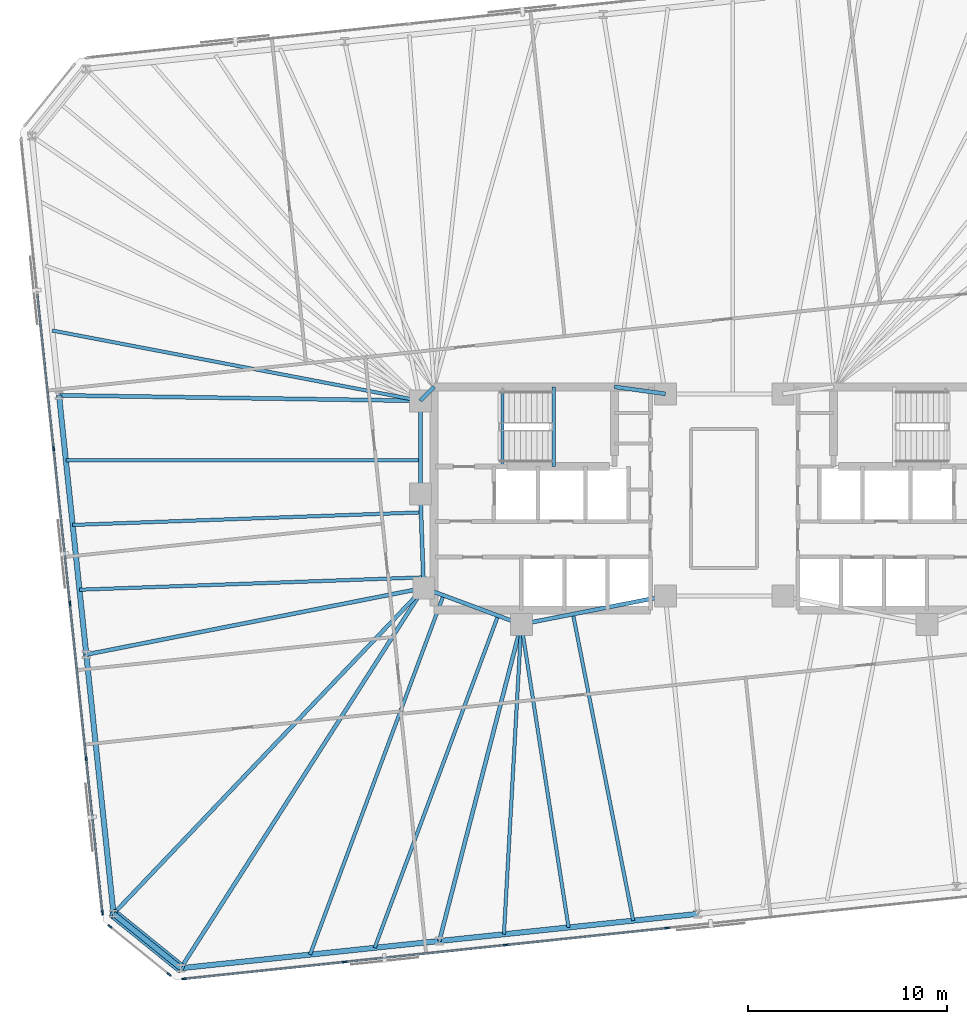
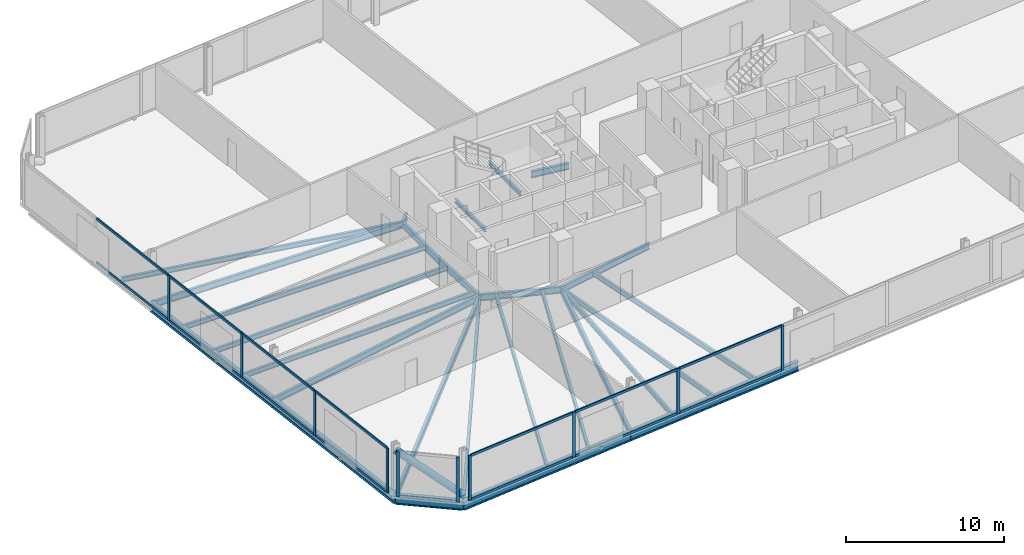
# One storey, part 6 of 18: 27 beams, 25 members, 3 elements without a shape of their own.
"""IFC4 building model written with IfcOpenShell, lengths in metres."""

from ifc_helpers import new_model, si_unit, direction, frame, origin, origin_2d, place, context, subcontext, project, spatial, rectangle, hollow_circle, i_section, extrude, material, material_profile, profile_set, type_object, element, aggregate, save


model = new_model("IFC4")

# Units and contexts
model_context = context("Model", 3, precision=1e-05, world=origin(), true_north=direction((0.0, 1.0)))
body_context = subcontext(model_context, "Body", "Model", "MODEL_VIEW")
ifc_project = project(units=[si_unit("LENGTHUNIT", "METRE"), si_unit("AREAUNIT", "SQUARE_METRE"), si_unit("VOLUMEUNIT", "CUBIC_METRE"), si_unit("PLANEANGLEUNIT", "RADIAN"), si_unit("MASSUNIT", "GRAM", prefix="KILO")], contexts=[model_context])

# Site, building, storey
site_placement = place(None, origin())
site = spatial("IfcSite", under=ifc_project, at=site_placement, CompositionType="ELEMENT")
building_placement = place(site_placement, origin())
building = spatial("IfcBuilding", under=site, at=building_placement, Name="Menara Jurai Vektor", CompositionType="ELEMENT")
storey_placement = place(building_placement, frame((0.0, 0.0, 117.0)))
storey = spatial("IfcBuildingStorey", under=building, at=storey_placement, Name="L29", CompositionType="ELEMENT", Elevation=117.0)

# Curtain wall, members
ifc_material_1 = material(Name="Anodised Pale Aluminium & Low-E Double Glazing", Category="aluminium")
curtain_wall_type = type_object("IfcCurtainWallType", Name="CW-BLK2", PredefinedType="NOTDEFINED", material=ifc_material_1)
curtain_wall_1_placement = place(storey_placement, origin())
curtain_wall_1 = element("IfcCurtainWall", 1, at=curtain_wall_1_placement, inside=storey, type_object=curtain_wall_type, Name="Unitised Curtain Wall L29 F01", PredefinedType="NOTDEFINED")
ifc_material_2 = material(Name="Anodised Pale Aluminium Mullion", Category="aluminium")
ifc_material_profile_1 = material_profile(ifc_material_2, rectangle(XDim=0.090087890625, YDim=0.219970703125, at=origin_2d()), Name="ALU MUL 90x220")
ifc_profile_set_1 = profile_set([ifc_material_profile_1], Name="Anodised Pale Aluminium Mullion")
member_type_1 = type_object("IfcMemberType", Name="CW-BLK2-MUL", PredefinedType="MULLION", material=ifc_profile_set_1)
member_1_placement = place(storey_placement, frame((-27.116455078125, -24.122314453125, 0.0), z_axis=(0.0, 0.0, 1.0), x_axis=(-0.104528634935, 0.994521877325, 0.0)))
member_1 = element("IfcMember", 2, at=member_1_placement, type_object=member_type_1, Name="CW-02 mullion 1", PredefinedType="MULLION", context=body_context, shape_type="SweptSolid", body=[
    extrude(rectangle(XDim=0.090087890625, YDim=0.219970703125, at=origin_2d()), origin(), (0.0, 0.0, 1.0), 3.47509765625),
])
member_2_placement = place(storey_placement, frame((-19.0634765625, -23.27587890625, 0.0), z_axis=(0.0, 0.0, 1.0), x_axis=(-0.104528634935, 0.994521877325, 0.0)))
member_2 = element("IfcMember", 3, at=member_2_placement, type_object=member_type_1, Name="CW-02 mullion 2", PredefinedType="MULLION", context=body_context, shape_type="SweptSolid", body=[
    extrude(rectangle(XDim=0.090087890625, YDim=0.219970703125, at=origin_2d()), origin(), (0.0, 0.0, 1.0), 3.47509765625),
])
member_3_placement = place(storey_placement, frame((-10.965576171875, -22.4248046875, 0.0), z_axis=(0.0, 0.0, 1.0), x_axis=(-0.104528634935, 0.994521877325, 0.0)))
member_3 = element("IfcMember", 4, at=member_3_placement, type_object=member_type_1, Name="CW-02 mullion 3", PredefinedType="MULLION", context=body_context, shape_type="SweptSolid", body=[
    extrude(rectangle(XDim=0.090087890625, YDim=0.219970703125, at=origin_2d()), origin(), (0.0, 0.0, 1.0), 3.47509765625),
])
member_4_placement = place(storey_placement, frame((-2.86767578125, -21.57373046875, 0.0), z_axis=(0.0, 0.0, 1.0), x_axis=(-0.104528634935, 0.994521877325, 0.0)))
member_4 = element("IfcMember", 5, at=member_4_placement, type_object=member_type_1, Name="CW-02 mullion 4", PredefinedType="MULLION", context=body_context, shape_type="SweptSolid", body=[
    extrude(rectangle(XDim=0.090087890625, YDim=0.219970703125, at=origin_2d()), origin(), (0.0, 0.0, 1.0), 3.47509765625),
])

curtain_wall_2_placement = place(storey_placement, origin())
curtain_wall_2 = element("IfcCurtainWall", 6, at=curtain_wall_2_placement, inside=storey, type_object=curtain_wall_type, Name="Unitised Curtain Wall L29 F07", PredefinedType="NOTDEFINED")
member_5_placement = place(storey_placement, frame((-33.66064453125, 2.50341796875, 0.0), z_axis=(0.0, 0.0, 1.0), x_axis=(0.99452177832, 0.104529576902, 0.0)))
member_5 = element("IfcMember", 7, at=member_5_placement, type_object=member_type_1, Name="CW-02 mullion 3", PredefinedType="MULLION", context=body_context, shape_type="SweptSolid", body=[
    extrude(rectangle(XDim=0.090087890625, YDim=0.219970703125, at=origin_2d()), origin(), (0.0, 0.0, 1.0), 3.47509765625),
])
member_6_placement = place(storey_placement, frame((-32.84228515625, -5.28173828125, 0.0), z_axis=(0.0, 0.0, 1.0), x_axis=(0.99452177832, 0.104529576902, 0.0)))
member_6 = element("IfcMember", 8, at=member_6_placement, type_object=member_type_1, Name="CW-02 mullion 4", PredefinedType="MULLION", context=body_context, shape_type="SweptSolid", body=[
    extrude(rectangle(XDim=0.090087890625, YDim=0.219970703125, at=origin_2d()), origin(), (0.0, 0.0, 1.0), 3.47509765625),
])
member_7_placement = place(storey_placement, frame((-32.024169921875, -13.06689453125, 0.0), z_axis=(0.0, 0.0, 1.0), x_axis=(0.99452177832, 0.104529576902, 0.0)))
member_7 = element("IfcMember", 9, at=member_7_placement, type_object=member_type_1, Name="CW-02 mullion 5", PredefinedType="MULLION", context=body_context, shape_type="SweptSolid", body=[
    extrude(rectangle(XDim=0.090087890625, YDim=0.219970703125, at=origin_2d()), origin(), (0.0, 0.0, 1.0), 3.47509765625),
])
member_8_placement = place(storey_placement, frame((-31.21044921875, -20.80712890625, 0.0), z_axis=(0.0, 0.0, 1.0), x_axis=(0.99452177832, 0.104529576902, 0.0)))
member_8 = element("IfcMember", 10, at=member_8_placement, type_object=member_type_1, Name="CW-02 mullion 6", PredefinedType="MULLION", context=body_context, shape_type="SweptSolid", body=[
    extrude(rectangle(XDim=0.090087890625, YDim=0.219970703125, at=origin_2d()), origin(), (0.0, 0.0, 1.0), 3.47509765625),
])

curtain_wall_3_placement = place(storey_placement, origin())
curtain_wall_3 = element("IfcCurtainWall", 11, at=curtain_wall_3_placement, inside=storey, type_object=curtain_wall_type, Name="Unitised Curtain Wall L29 F08", PredefinedType="NOTDEFINED")
member_9_placement = place(storey_placement, frame((-30.8359375, -21.497314453125, 0.0), z_axis=(0.0, 0.0, 1.0), x_axis=(0.629313085353, 0.777151877437, 0.0)))
member_9 = element("IfcMember", 12, at=member_9_placement, type_object=member_type_1, Name="CW-02 mullion 1", PredefinedType="MULLION", context=body_context, shape_type="SweptSolid", body=[
    extrude(rectangle(XDim=0.090087890625, YDim=0.219970703125, at=origin_2d()), origin(), (0.0, 0.0, 1.0), 3.47509765625),
])
member_10_placement = place(storey_placement, frame((-27.869384765625, -23.8994140625, 0.0), z_axis=(0.0, 0.0, 1.0), x_axis=(0.629313085353, 0.777151877437, 0.0)))
member_10 = element("IfcMember", 13, at=member_10_placement, type_object=member_type_1, Name="CW-02 mullion 2", PredefinedType="MULLION", context=body_context, shape_type="SweptSolid", body=[
    extrude(rectangle(XDim=0.090087890625, YDim=0.219970703125, at=origin_2d()), origin(), (0.0, 0.0, 1.0), 3.47509765625),
])
aggregate(curtain_wall_3, [member_9, member_10])

# Member
ifc_material_3 = material(Name="Anodised Pale Aluminium Transom", Category="aluminium")
ifc_material_profile_2 = material_profile(ifc_material_3, rectangle(XDim=0.090087890625, YDim=0.18505859375, at=origin_2d()), Name="ALU TRN 90x185")
ifc_profile_set_2 = profile_set([ifc_material_profile_2], Name="Anodised Pale Aluminium Transom")
member_type_2 = type_object("IfcMemberType", Name="CW-BLK2-TRN", PredefinedType="USERDEFINED", material=ifc_profile_set_2)
member_11_placement = place(storey_placement, frame((-27.07177734375, -24.11767578125, 0.044921875), z_axis=(0.994523147415, 0.10451655015, 0.0), x_axis=(-0.10451655015, 0.994523147415, 0.0)))
member_11 = element("IfcMember", 14, at=member_11_placement, type_object=member_type_2, Name="CW-02 transom 1.1", ObjectType="TRANSOM", PredefinedType="USERDEFINED", context=body_context, shape_type="SweptSolid", body=[
    extrude(rectangle(XDim=0.090087890625, YDim=0.18505859375, at=origin_2d()), origin(), (0.0, 0.0, 1.0), 8.007568359375),
])

member_12_placement = place(storey_placement, frame((-27.07177734375, -24.11767578125, 3.429931640625), z_axis=(0.994523147415, 0.10451655015, 0.0), x_axis=(-0.10451655015, 0.994523147415, 0.0)))
member_12 = element("IfcMember", 15, at=member_12_placement, type_object=member_type_2, Name="CW-02 transom 1.2", ObjectType="TRANSOM", PredefinedType="USERDEFINED", context=body_context, shape_type="SweptSolid", body=[
    extrude(rectangle(XDim=0.090087890625, YDim=0.18505859375, at=origin_2d()), origin(), (0.0, 0.0, 1.0), 8.007568359375),
])

member_13_placement = place(storey_placement, frame((-19.0185546875, -23.271240234375, 0.044921875), z_axis=(0.994520726373, 0.10453958492, 0.0), x_axis=(-0.10453958492, 0.994520726373, 0.0)))
member_13 = element("IfcMember", 16, at=member_13_placement, type_object=member_type_2, Name="CW-02 transom 2.1", ObjectType="TRANSOM", PredefinedType="USERDEFINED", context=body_context, shape_type="SweptSolid", body=[
    extrude(rectangle(XDim=0.090087890625, YDim=0.18505859375, at=origin_2d()), origin(), (0.0, 0.0, 1.0), 8.052490234375),
])

member_14_placement = place(storey_placement, frame((-19.0185546875, -23.271240234375, 3.429931640625), z_axis=(0.994520726373, 0.10453958492, 0.0), x_axis=(-0.10453958492, 0.994520726373, 0.0)))
member_14 = element("IfcMember", 17, at=member_14_placement, type_object=member_type_2, Name="CW-02 transom 2.2", ObjectType="TRANSOM", PredefinedType="USERDEFINED", context=body_context, shape_type="SweptSolid", body=[
    extrude(rectangle(XDim=0.090087890625, YDim=0.18505859375, at=origin_2d()), origin(), (0.0, 0.0, 1.0), 8.052490234375),
])

member_15_placement = place(storey_placement, frame((-10.920654296875, -22.420166015625, 0.044921875), z_axis=(0.994520726373, 0.10453958492, 0.0), x_axis=(-0.10453958492, 0.994520726373, 0.0)))
member_15 = element("IfcMember", 18, at=member_15_placement, type_object=member_type_2, Name="CW-02 transom 3.1", ObjectType="TRANSOM", PredefinedType="USERDEFINED", context=body_context, shape_type="SweptSolid", body=[
    extrude(rectangle(XDim=0.090087890625, YDim=0.18505859375, at=origin_2d()), origin(), (0.0, 0.0, 1.0), 8.052490234375),
])

member_16_placement = place(storey_placement, frame((-10.920654296875, -22.420166015625, 3.429931640625), z_axis=(0.994520726373, 0.10453958492, 0.0), x_axis=(-0.10453958492, 0.994520726373, 0.0)))
member_16 = element("IfcMember", 19, at=member_16_placement, type_object=member_type_2, Name="CW-02 transom 3.2", ObjectType="TRANSOM", PredefinedType="USERDEFINED", context=body_context, shape_type="SweptSolid", body=[
    extrude(rectangle(XDim=0.090087890625, YDim=0.18505859375, at=origin_2d()), origin(), (0.0, 0.0, 1.0), 8.052490234375),
])

aggregate(curtain_wall_1, [member_1, member_2, member_3, member_4, member_11, member_12, member_13, member_14, member_15, member_16])

member_17_placement = place(storey_placement, frame((-34.47412109375, 10.243896484375, 0.044921875), z_axis=(0.104525476786, -0.994522209256, 0.0), x_axis=(0.994522209256, 0.104525476786, 0.0)))
member_17 = element("IfcMember", 20, at=member_17_placement, type_object=member_type_2, Name="CW-02 transom 2.1", ObjectType="TRANSOM", PredefinedType="USERDEFINED", context=body_context, shape_type="SweptSolid", body=[
    extrude(rectangle(XDim=0.090087890625, YDim=0.18505859375, at=origin_2d()), origin(), (0.0, 0.0, 1.0), 7.73828125),
])

member_18_placement = place(storey_placement, frame((-34.47412109375, 10.243896484375, 3.429931640625), z_axis=(0.104525476786, -0.994522209256, 0.0), x_axis=(0.994522209256, 0.104525476786, 0.0)))
member_18 = element("IfcMember", 21, at=member_18_placement, type_object=member_type_2, Name="CW-02 transom 2.2", ObjectType="TRANSOM", PredefinedType="USERDEFINED", context=body_context, shape_type="SweptSolid", body=[
    extrude(rectangle(XDim=0.090087890625, YDim=0.18505859375, at=origin_2d()), origin(), (0.0, 0.0, 1.0), 7.73828125),
])

member_19_placement = place(storey_placement, frame((-33.65576171875, 2.458740234375, 0.044921875), z_axis=(0.104525476786, -0.994522209256, 0.0), x_axis=(0.994522209256, 0.104525476786, 0.0)))
member_19 = element("IfcMember", 22, at=member_19_placement, type_object=member_type_2, Name="CW-02 transom 3.1", ObjectType="TRANSOM", PredefinedType="USERDEFINED", context=body_context, shape_type="SweptSolid", body=[
    extrude(rectangle(XDim=0.090087890625, YDim=0.18505859375, at=origin_2d()), origin(), (0.0, 0.0, 1.0), 7.73828125),
])

member_20_placement = place(storey_placement, frame((-33.65576171875, 2.458740234375, 3.429931640625), z_axis=(0.104525476786, -0.994522209256, 0.0), x_axis=(0.994522209256, 0.104525476786, 0.0)))
member_20 = element("IfcMember", 23, at=member_20_placement, type_object=member_type_2, Name="CW-02 transom 3.2", ObjectType="TRANSOM", PredefinedType="USERDEFINED", context=body_context, shape_type="SweptSolid", body=[
    extrude(rectangle(XDim=0.090087890625, YDim=0.18505859375, at=origin_2d()), origin(), (0.0, 0.0, 1.0), 7.73828125),
])

member_21_placement = place(storey_placement, frame((-32.837646484375, -5.326416015625, 0.044921875), z_axis=(0.104525476786, -0.994522209256, 0.0), x_axis=(0.994522209256, 0.104525476786, 0.0)))
member_21 = element("IfcMember", 24, at=member_21_placement, type_object=member_type_2, Name="CW-02 transom 4.1", ObjectType="TRANSOM", PredefinedType="USERDEFINED", context=body_context, shape_type="SweptSolid", body=[
    extrude(rectangle(XDim=0.090087890625, YDim=0.18505859375, at=origin_2d()), origin(), (0.0, 0.0, 1.0), 7.73828125),
])

member_22_placement = place(storey_placement, frame((-32.837646484375, -5.326416015625, 3.429931640625), z_axis=(0.104525476786, -0.994522209256, 0.0), x_axis=(0.994522209256, 0.104525476786, 0.0)))
member_22 = element("IfcMember", 25, at=member_22_placement, type_object=member_type_2, Name="CW-02 transom 4.2", ObjectType="TRANSOM", PredefinedType="USERDEFINED", context=body_context, shape_type="SweptSolid", body=[
    extrude(rectangle(XDim=0.090087890625, YDim=0.18505859375, at=origin_2d()), origin(), (0.0, 0.0, 1.0), 7.73828125),
])

member_23_placement = place(storey_placement, frame((-32.019287109375, -13.111572265625, 0.044921875), z_axis=(0.104536105602, -0.994521092097, 0.0), x_axis=(0.994521092097, 0.104536105602, 0.0)))
member_23 = element("IfcMember", 26, at=member_23_placement, type_object=member_type_2, Name="CW-02 transom 5.1", ObjectType="TRANSOM", PredefinedType="USERDEFINED", context=body_context, shape_type="SweptSolid", body=[
    extrude(rectangle(XDim=0.090087890625, YDim=0.18505859375, at=origin_2d()), origin(), (0.0, 0.0, 1.0), 7.693115234375),
])

member_24_placement = place(storey_placement, frame((-32.019287109375, -13.111572265625, 3.429931640625), z_axis=(0.104536105602, -0.994521092097, 0.0), x_axis=(0.994521092097, 0.104536105602, 0.0)))
member_24 = element("IfcMember", 27, at=member_24_placement, type_object=member_type_2, Name="CW-02 transom 5.2", ObjectType="TRANSOM", PredefinedType="USERDEFINED", context=body_context, shape_type="SweptSolid", body=[
    extrude(rectangle(XDim=0.090087890625, YDim=0.18505859375, at=origin_2d()), origin(), (0.0, 0.0, 1.0), 7.693115234375),
])

aggregate(curtain_wall_2, [member_5, member_6, member_7, member_8, member_17, member_18, member_19, member_20, member_21, member_22, member_23, member_24])

# Beams
ifc_material_4 = material(Name="Steel S355", Category="steel")
ifc_material_profile_3 = material_profile(ifc_material_4, i_section(OverallWidth=0.199951171875, OverallDepth=0.5, WebThickness=0.011962890625, FlangeThickness=0.02001953125, at=origin_2d()), Name="PG 500x200x96")
ifc_profile_set_3 = profile_set([ifc_material_profile_3], Name="Steel S355")
beam_type_1 = type_object("IfcBeamType", Name="STR-BM-500", PredefinedType="BEAM", material=ifc_profile_set_3)
beam_1_placement = place(storey_placement, frame((-15.25, 4.89990234375, -0.47509765625), z_axis=(0.701871936926, 0.712303154672, 0.0), x_axis=(-0.712303154672, 0.701871936926, 0.0)))
element("IfcBeam", 28, at=beam_1_placement, inside=storey, type_object=beam_type_1, Name="Core Ring Header Girder L29-CHW-N1", PredefinedType="BEAM", context=body_context, shape_type="SweptSolid", body=[
    extrude(i_section(OverallWidth=0.199951171875, OverallDepth=0.5, WebThickness=0.011962890625, FlangeThickness=0.02001953125, at=origin_2d()), origin(), (0.0, 0.0, 1.0), 0.98291015625),
])
beam_2_placement = place(storey_placement, frame((-5.5, 5.60009765625, -0.47509765625), z_axis=(0.990706818608, -0.136014703483, 0.0), x_axis=(0.136014703483, 0.990706818608, 0.0)))
element("IfcBeam", 29, at=beam_2_placement, inside=storey, type_object=beam_type_1, Name="Core Ring Header Girder L29-CHW-N2", PredefinedType="BEAM", context=body_context, shape_type="SweptSolid", body=[
    extrude(i_section(OverallWidth=0.199951171875, OverallDepth=0.5, WebThickness=0.011962890625, FlangeThickness=0.02001953125, at=origin_2d()), origin(), (0.0, 0.0, 1.0), 2.573974609375),
])
beam_3_placement = place(storey_placement, frame((-15.25, 0.219970703125, -0.47509765625), z_axis=(0.0, 1.0, 0.0), x_axis=(-1.0, 0.0, 0.0)))
element("IfcBeam", 30, at=beam_3_placement, inside=storey, type_object=beam_type_1, Name="Core Ring Header Girder L29-CHW-W1", PredefinedType="BEAM", context=body_context, shape_type="SweptSolid", body=[
    extrude(i_section(OverallWidth=0.199951171875, OverallDepth=0.5, WebThickness=0.011962890625, FlangeThickness=0.02001953125, at=origin_2d()), origin(), (0.0, 0.0, 1.0), 4.679931640625),
])
beam_4_placement = place(storey_placement, frame((-15.080078125, -4.5, -0.47509765625), z_axis=(-0.035977314146, 0.999352606874, 0.0), x_axis=(-0.999352606874, -0.035977314146, 0.0)))
element("IfcBeam", 31, at=beam_4_placement, inside=storey, type_object=beam_type_1, Name="Core Ring Header Girder L29-CHW-W2", PredefinedType="BEAM", context=body_context, shape_type="SweptSolid", body=[
    extrude(i_section(OverallWidth=0.199951171875, OverallDepth=0.5, WebThickness=0.011962890625, FlangeThickness=0.02001953125, at=origin_2d()), origin(), (0.0, 0.0, 1.0), 4.72314453125),
])
beam_5_placement = place(storey_placement, frame((-15.080078125, -4.5, -0.47509765625), z_axis=(0.937424400887, -0.348188874925, 0.0), x_axis=(0.348188874925, 0.937424400887, 0.0)))
element("IfcBeam", 32, at=beam_5_placement, inside=storey, type_object=beam_type_1, Name="Core Ring Header Girder L29-CHW-S1", PredefinedType="BEAM", context=body_context, shape_type="SweptSolid", body=[
    extrude(i_section(OverallWidth=0.199951171875, OverallDepth=0.5, WebThickness=0.011962890625, FlangeThickness=0.02001953125, at=origin_2d()), origin(), (0.0, 0.0, 1.0), 5.227294921875),
])
beam_6_placement = place(storey_placement, frame((-10.179931640625, -6.320068359375, -0.47509765625), z_axis=(0.981249044334, 0.192744164614, 0.0), x_axis=(-0.192744164614, 0.981249044334, 0.0)))
element("IfcBeam", 33, at=beam_6_placement, inside=storey, type_object=beam_type_1, Name="Core Ring Header Girder L29-CHW-S2", PredefinedType="BEAM", context=body_context, shape_type="SweptSolid", body=[
    extrude(i_section(OverallWidth=0.199951171875, OverallDepth=0.5, WebThickness=0.011962890625, FlangeThickness=0.02001953125, at=origin_2d()), origin(), (0.0, 0.0, 1.0), 7.3681640625),
])
beam_7_placement = place(storey_placement, frame((-27.2763671875, -23.586181640625, -0.47509765625), z_axis=(0.538462629542, 0.842649391258, 0.0), x_axis=(-0.842649391258, 0.538462629542, 0.0)))
element("IfcBeam", 34, at=beam_7_placement, inside=storey, type_object=beam_type_1, Name="Radial Floor Girder L29-S1", PredefinedType="BEAM", context=body_context, shape_type="SweptSolid", body=[
    extrude(i_section(OverallWidth=0.199951171875, OverallDepth=0.5, WebThickness=0.011962890625, FlangeThickness=0.02001953125, at=origin_2d()), origin(), (0.0, 0.0, 1.0), 22.650146484375),
])
beam_8_placement = place(storey_placement, frame((-14.296630859375, -22.221923828125, -0.47509765625), z_axis=(0.250619644892, 0.968085633399, 0.0), x_axis=(-0.968085633399, 0.250619644892, 0.0)))
element("IfcBeam", 35, at=beam_8_placement, inside=storey, type_object=beam_type_1, Name="Radial Floor Girder L29-S2", PredefinedType="BEAM", context=body_context, shape_type="SweptSolid", body=[
    extrude(i_section(OverallWidth=0.199951171875, OverallDepth=0.5, WebThickness=0.011962890625, FlangeThickness=0.02001953125, at=origin_2d()), origin(), (0.0, 0.0, 1.0), 16.426025390625),
])
beam_9_placement = place(storey_placement, frame((-33.38818359375, 5.175048828125, -0.47509765625), z_axis=(0.999884963566, -0.015167716827, 0.0), x_axis=(0.015167716827, 0.999884963566, 0.0)))
element("IfcBeam", 36, at=beam_9_placement, inside=storey, type_object=beam_type_1, Name="Radial Floor Girder L29-W2", PredefinedType="BEAM", context=body_context, shape_type="SweptSolid", body=[
    extrude(i_section(OverallWidth=0.199951171875, OverallDepth=0.5, WebThickness=0.011962890625, FlangeThickness=0.02001953125, at=origin_2d()), origin(), (0.0, 0.0, 1.0), 18.140380859375),
])
beam_10_placement = place(storey_placement, frame((-32.0205078125, -7.83837890625, -0.47509765625), z_axis=(0.98113039493, 0.193347221714, 0.0), x_axis=(-0.193347221714, 0.98113039493, 0.0)))
element("IfcBeam", 37, at=beam_10_placement, inside=storey, type_object=beam_type_1, Name="Radial Floor Girder L29-W3", PredefinedType="BEAM", context=body_context, shape_type="SweptSolid", body=[
    extrude(i_section(OverallWidth=0.199951171875, OverallDepth=0.5, WebThickness=0.011962890625, FlangeThickness=0.02001953125, at=origin_2d()), origin(), (0.0, 0.0, 1.0), 17.266357421875),
])
beam_11_placement = place(storey_placement, frame((-30.65283203125, -20.85205078125, -0.47509765625), z_axis=(0.689640593718, 0.724151815227, 0.0), x_axis=(-0.724151815227, 0.689640593718, 0.0)))
element("IfcBeam", 38, at=beam_11_placement, inside=storey, type_object=beam_type_1, Name="Radial Floor Girder L29-W4", PredefinedType="BEAM", context=body_context, shape_type="SweptSolid", body=[
    extrude(i_section(OverallWidth=0.199951171875, OverallDepth=0.5, WebThickness=0.011962890625, FlangeThickness=0.02001953125, at=origin_2d()), origin(), (0.0, 0.0, 1.0), 22.5810546875),
])

# Member
ifc_material_5 = material(Name="Steel S460", Category="steel")
ifc_material_profile_4 = material_profile(ifc_material_5, hollow_circle(Radius=0.25390625, WallThickness=0.02001953125, at=origin_2d()), Name="CHS 508x20")
ifc_profile_set_4 = profile_set([ifc_material_profile_4], Name="Steel S460")
member_type_3 = type_object("IfcMemberType", Name="STR-BR-508", PredefinedType="BRACE", material=ifc_profile_set_4)
member_25_placement = place(storey_placement, frame((-27.2763671875, -23.586181640625, 0.14990234375), z_axis=(-0.641223283484, 0.519237856236, 0.564999778203), x_axis=(-0.629309762217, -0.777154568396, 0.0)))
element("IfcMember", 39, at=member_25_placement, inside=storey, type_object=member_type_3, Name="Exoskeleton Corner Brace L29-4", PredefinedType="BRACE", context=body_context, shape_type="SweptSolid", body=[
    extrude(hollow_circle(Radius=0.25390625, WallThickness=0.02001953125, at=origin_2d()), origin(), (0.0, 0.0, 1.0), 5.265625),
])

# Beams
ifc_material_profile_5 = material_profile(ifc_material_4, i_section(OverallWidth=0.175048828125, OverallDepth=0.3798828125, WebThickness=0.010009765625, FlangeThickness=0.014892578125, at=origin_2d()), Name="PG 380x175x58")
ifc_profile_set_5 = profile_set([ifc_material_profile_5], Name="Steel S355")
beam_type_2 = type_object("IfcBeamType", Name="STR-JS-380", PredefinedType="JOIST", material=ifc_profile_set_5)
beam_12_placement = place(storey_placement, frame((-20.78662109375, -22.904052734375, -0.4150390625), z_axis=(0.34819162731, 0.93742337856, 0.0), x_axis=(-0.93742337856, 0.34819162731, 0.0)))
element("IfcBeam", 40, at=beam_12_placement, inside=storey, type_object=beam_type_2, Name="Radial Secondary Floor Joist L29-JS01", PredefinedType="JOIST", context=body_context, shape_type="SweptSolid", body=[
    extrude(i_section(OverallWidth=0.175048828125, OverallDepth=0.3798828125, WebThickness=0.010009765625, FlangeThickness=0.014892578125, at=origin_2d()), origin(), (0.0, 0.0, 1.0), 19.2392578125),
])
beam_13_placement = place(storey_placement, frame((-17.54150390625, -22.56298828125, -0.4150390625), z_axis=(0.348184462185, 0.937426039906, 0.0), x_axis=(-0.937426039906, 0.348184462185, 0.0)))
element("IfcBeam", 41, at=beam_13_placement, inside=storey, type_object=beam_type_2, Name="Radial Secondary Floor Joist L29-JS02", PredefinedType="JOIST", context=body_context, shape_type="SweptSolid", body=[
    extrude(i_section(OverallWidth=0.175048828125, OverallDepth=0.3798828125, WebThickness=0.010009765625, FlangeThickness=0.014892578125, at=origin_2d()), origin(), (0.0, 0.0, 1.0), 17.789794921875),
])
beam_14_placement = place(storey_placement, frame((-11.0517578125, -21.880859375, -0.4150390625), z_axis=(0.055939382302, 0.998434166837, 0.0), x_axis=(-0.998434166837, 0.055939382302, 0.0)))
element("IfcBeam", 42, at=beam_14_placement, inside=storey, type_object=beam_type_2, Name="Radial Secondary Floor Joist L29-JS03", PredefinedType="JOIST", context=body_context, shape_type="SweptSolid", body=[
    extrude(i_section(OverallWidth=0.175048828125, OverallDepth=0.3798828125, WebThickness=0.010009765625, FlangeThickness=0.014892578125, at=origin_2d()), origin(), (0.0, 0.0, 1.0), 15.585205078125),
])
beam_15_placement = place(storey_placement, frame((-7.806884765625, -21.539794921875, -0.4150390625), z_axis=(-0.154057765645, 0.988061842622, 0.0), x_axis=(-0.988061842622, -0.154057765645, 0.0)))
element("IfcBeam", 43, at=beam_15_placement, inside=storey, type_object=beam_type_2, Name="Radial Secondary Floor Joist L29-JS04", PredefinedType="JOIST", context=body_context, shape_type="SweptSolid", body=[
    extrude(i_section(OverallWidth=0.175048828125, OverallDepth=0.3798828125, WebThickness=0.010009765625, FlangeThickness=0.014892578125, at=origin_2d()), origin(), (0.0, 0.0, 1.0), 15.403564453125),
])
beam_16_placement = place(storey_placement, frame((-4.56201171875, -21.19873046875, -0.4150390625), z_axis=(-0.19271398667, 0.981254971627, 0.0), x_axis=(-0.981254971627, -0.19271398667, 0.0)))
element("IfcBeam", 44, at=beam_16_placement, inside=storey, type_object=beam_type_2, Name="Radial Secondary Floor Joist L29-JS05", PredefinedType="JOIST", context=body_context, shape_type="SweptSolid", body=[
    extrude(i_section(OverallWidth=0.175048828125, OverallDepth=0.3798828125, WebThickness=0.010009765625, FlangeThickness=0.014892578125, at=origin_2d()), origin(), (0.0, 0.0, 1.0), 15.682373046875),
])
beam_17_placement = place(storey_placement, frame((-33.730224609375, 8.428466796875, -0.4150390625), z_axis=(0.982255215221, -0.187549172674, 0.0), x_axis=(0.187549172674, 0.982255215221, 0.0)))
element("IfcBeam", 45, at=beam_17_placement, inside=storey, type_object=beam_type_2, Name="Radial Secondary Floor Joist L29-JS38", PredefinedType="JOIST", context=body_context, shape_type="SweptSolid", body=[
    extrude(i_section(OverallWidth=0.175048828125, OverallDepth=0.3798828125, WebThickness=0.010009765625, FlangeThickness=0.014892578125, at=origin_2d()), origin(), (0.0, 0.0, 1.0), 18.81396484375),
])
beam_18_placement = place(storey_placement, frame((-33.04638671875, 1.921630859375, -0.4150390625), z_axis=(1.0, 0.0, 0.0), x_axis=(0.0, 1.0, 0.0)))
element("IfcBeam", 46, at=beam_18_placement, inside=storey, type_object=beam_type_2, Name="Radial Secondary Floor Joist L29-JS39", PredefinedType="JOIST", context=body_context, shape_type="SweptSolid", body=[
    extrude(i_section(OverallWidth=0.175048828125, OverallDepth=0.3798828125, WebThickness=0.010009765625, FlangeThickness=0.014892578125, at=origin_2d()), origin(), (0.0, 0.0, 1.0), 17.79638671875),
])
beam_19_placement = place(storey_placement, frame((-32.704345703125, -1.331787109375, -0.4150390625), z_axis=(0.999351948809, 0.035995588769, 0.0), x_axis=(-0.035995588769, 0.999351948809, 0.0)))
element("IfcBeam", 47, at=beam_19_placement, inside=storey, type_object=beam_type_2, Name="Radial Secondary Floor Joist L29-JS40", PredefinedType="JOIST", context=body_context, shape_type="SweptSolid", body=[
    extrude(i_section(OverallWidth=0.175048828125, OverallDepth=0.3798828125, WebThickness=0.010009765625, FlangeThickness=0.014892578125, at=origin_2d()), origin(), (0.0, 0.0, 1.0), 17.498779296875),
])
beam_20_placement = place(storey_placement, frame((-32.362548828125, -4.5849609375, -0.4150390625), z_axis=(0.999352405578, 0.03598290517, 0.0), x_axis=(-0.03598290517, 0.999352405578, 0.0)))
element("IfcBeam", 48, at=beam_20_placement, inside=storey, type_object=beam_type_2, Name="Radial Secondary Floor Joist L29-JS41", PredefinedType="JOIST", context=body_context, shape_type="SweptSolid", body=[
    extrude(i_section(OverallWidth=0.175048828125, OverallDepth=0.3798828125, WebThickness=0.010009765625, FlangeThickness=0.014892578125, at=origin_2d()), origin(), (0.0, 0.0, 1.0), 17.2744140625),
])
ifc_material_profile_6 = material_profile(ifc_material_4, i_section(OverallWidth=0.1650390625, OverallDepth=0.302978515625, WebThickness=0.006103515625, FlangeThickness=0.010009765625, FilletRadius=0.009033203125, at=origin_2d()), Name="UKB 305x165x40")
ifc_profile_set_6 = profile_set([ifc_material_profile_6], Name="Steel S355")
beam_type_3 = type_object("IfcBeamType", Name="STR-LN-305", PredefinedType="LINTEL", material=ifc_profile_set_6)
beam_21_placement = place(storey_placement, frame((-11.1201171875, 1.60009765625, -0.37646484375), z_axis=(0.0, 1.0, 0.0), x_axis=(-1.0, 0.0, 0.0)))
element("IfcBeam", 49, at=beam_21_placement, inside=storey, type_object=beam_type_3, Name="Stair Well Floor Trimmer ST1 L29", PredefinedType="LINTEL", context=body_context, shape_type="SweptSolid", body=[
    extrude(i_section(OverallWidth=0.1650390625, OverallDepth=0.302978515625, WebThickness=0.006103515625, FlangeThickness=0.010009765625, FilletRadius=0.009033203125, at=origin_2d()), origin(), (0.0, 0.0, 1.0), 3.81982421875),
])
beam_22_placement = place(storey_placement, frame((-8.550048828125, 1.60009765625, 1.49853515625), z_axis=(0.0, 1.0, 0.0), x_axis=(-1.0, 0.0, 0.0)))
element("IfcBeam", 50, at=beam_22_placement, inside=storey, type_object=beam_type_3, Name="Stair Half-Landing Nosing Trimmer ST1-1 L29", PredefinedType="LINTEL", context=body_context, shape_type="SweptSolid", body=[
    extrude(i_section(OverallWidth=0.1650390625, OverallDepth=0.302978515625, WebThickness=0.006103515625, FlangeThickness=0.010009765625, FilletRadius=0.009033203125, at=origin_2d()), origin(), (0.0, 0.0, 1.0), 4.0),
])
ifc_material_profile_7 = material_profile(ifc_material_5, i_section(OverallWidth=0.26806640625, OverallDepth=0.77001953125, WebThickness=0.01611328125, FlangeThickness=0.02490234375, FilletRadius=0.01708984375, at=origin_2d()), Name="UKB 762x267x197")
ifc_profile_set_7 = profile_set([ifc_material_profile_7], Name="Steel S460")
beam_type_4 = type_object("IfcBeamType", Name="STR-SP-762", PredefinedType="SPANDREL", material=ifc_profile_set_7)
for number, where, z_axis, x_axis, name in (
    (51, (-27.2763671875, -23.586181640625, -0.610107421875), (0.994521636083, 0.104530930169, 0.0), (-0.104530930169, 0.994521636083, 0.0), "Exoskeleton Spandrel Beam L29-01"),
    (52, (-14.296630859375, -22.221923828125, -0.610107421875), (0.994523580592, 0.104512428191, 0.0), (-0.104512428191, 0.994523580592, 0.0), "Exoskeleton Spandrel Beam L29-02"),
):
    element("IfcBeam", number, at=place(storey_placement, frame(where, z_axis=z_axis, x_axis=x_axis)), inside=storey, type_object=beam_type_4, Name=name, PredefinedType="SPANDREL", context=body_context, shape_type="SweptSolid", body=[
        extrude(i_section(OverallWidth=0.26806640625, OverallDepth=0.77001953125, WebThickness=0.01611328125, FlangeThickness=0.02490234375, FilletRadius=0.01708984375, at=origin_2d()), origin(), (0.0, 0.0, 1.0), 13.05126953125),
    ])
beam_23_placement = place(storey_placement, frame((-33.38818359375, 5.175048828125, -0.610107421875), z_axis=(0.104521615846, -0.994522615037, 0.0), x_axis=(0.994522615037, 0.104521615846, 0.0)))
element("IfcBeam", 53, at=beam_23_placement, inside=storey, type_object=beam_type_4, Name="Exoskeleton Spandrel Beam L29-18", PredefinedType="SPANDREL", context=body_context, shape_type="SweptSolid", body=[
    extrude(i_section(OverallWidth=0.26806640625, OverallDepth=0.77001953125, WebThickness=0.01611328125, FlangeThickness=0.02490234375, FilletRadius=0.01708984375, at=origin_2d()), origin(), (0.0, 0.0, 1.0), 13.085205078125),
])
beam_24_placement = place(storey_placement, frame((-32.0205078125, -7.83837890625, -0.610107421875), z_axis=(0.104519676409, -0.994522818865, 0.0), x_axis=(0.994522818865, 0.104519676409, 0.0)))
element("IfcBeam", 54, at=beam_24_placement, inside=storey, type_object=beam_type_4, Name="Exoskeleton Spandrel Beam L29-19", PredefinedType="SPANDREL", context=body_context, shape_type="SweptSolid", body=[
    extrude(i_section(OverallWidth=0.26806640625, OverallDepth=0.77001953125, WebThickness=0.01611328125, FlangeThickness=0.02490234375, FilletRadius=0.01708984375, at=origin_2d()), origin(), (0.0, 0.0, 1.0), 13.08544921875),
])
beam_25_placement = place(storey_placement, frame((-30.65283203125, -20.85205078125, -0.610107421875), z_axis=(0.777154568396, -0.629309762217, 0.0), x_axis=(0.629309762217, 0.777154568396, 0.0)))
element("IfcBeam", 55, at=beam_25_placement, inside=storey, type_object=beam_type_4, Name="Exoskeleton Spandrel Beam L29-20", PredefinedType="SPANDREL", context=body_context, shape_type="SweptSolid", body=[
    extrude(i_section(OverallWidth=0.26806640625, OverallDepth=0.77001953125, WebThickness=0.01611328125, FlangeThickness=0.02490234375, FilletRadius=0.01708984375, at=origin_2d()), origin(), (0.0, 0.0, 1.0), 4.3447265625),
])

save(model, "model.ifc")
